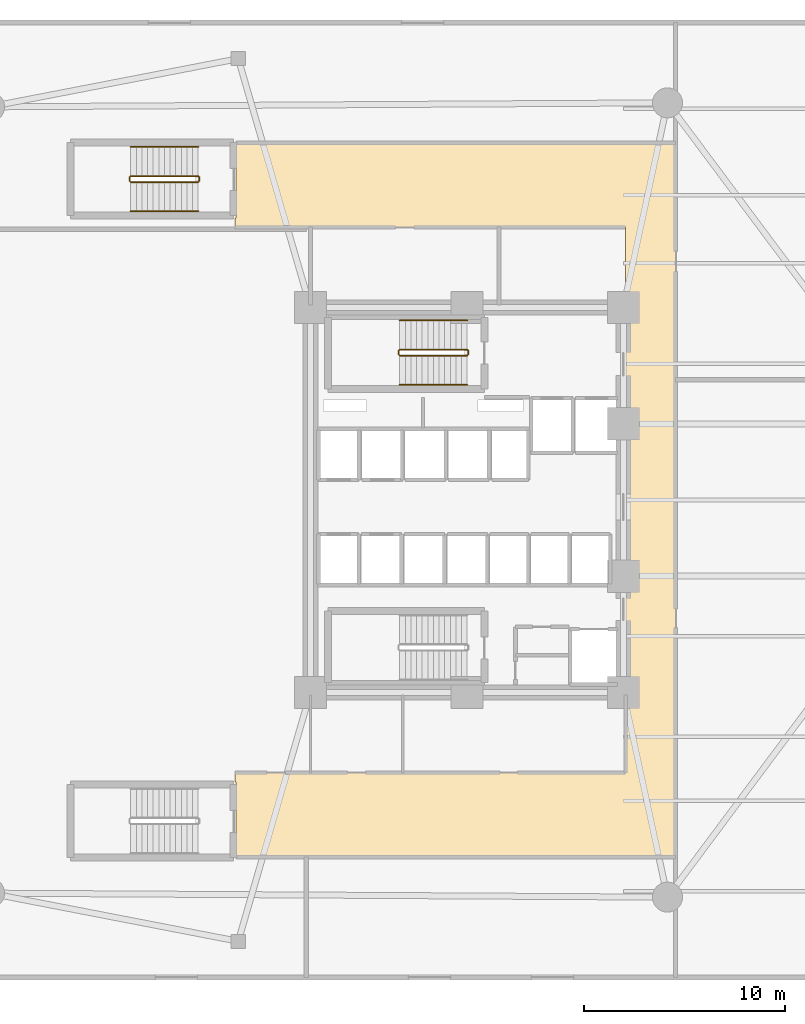
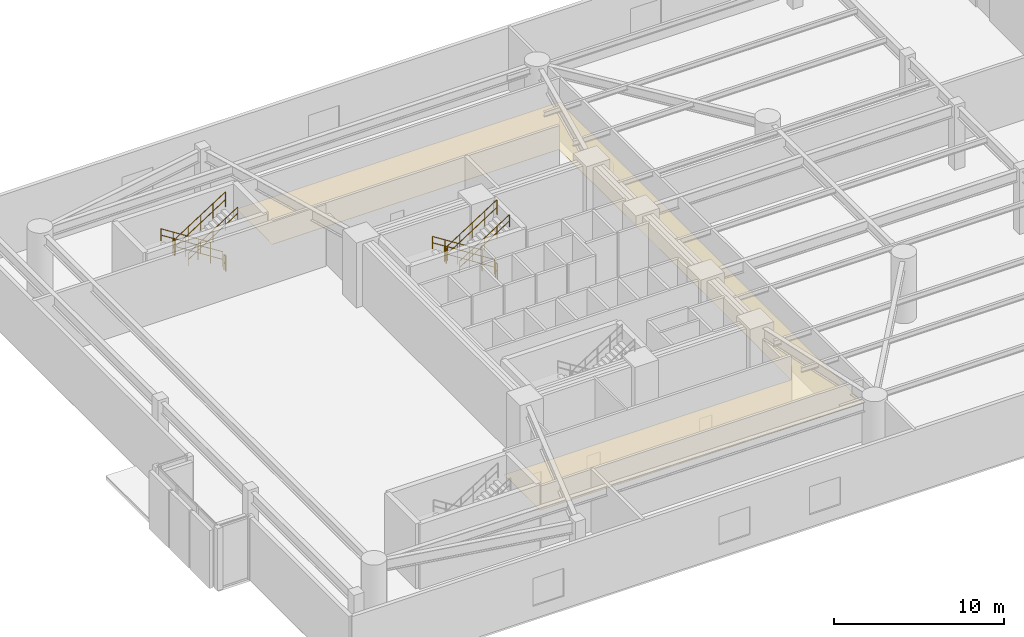
# One storey, part 14 of 15: 12 railings, 1 covering.
"""IFC4 building model written with IfcOpenShell, lengths in metres."""

from ifc_helpers import new_model, si_unit, direction, frame, origin, origin_2d, place, context, subcontext, project, spatial, polyline, circle, outline, extrude, material, layer, layer_set, type_object, element, save


model = new_model("IFC4")

# Units and contexts
model_context = context("Model", 3, precision=1e-05, world=origin(), true_north=direction((0.0, 1.0)))
body_context = subcontext(model_context, "Body", "Model", "MODEL_VIEW")
ifc_project = project(units=[si_unit("LENGTHUNIT", "METRE"), si_unit("AREAUNIT", "SQUARE_METRE"), si_unit("VOLUMEUNIT", "CUBIC_METRE"), si_unit("PLANEANGLEUNIT", "RADIAN"), si_unit("MASSUNIT", "GRAM", prefix="KILO")], contexts=[model_context])

# Site, building, storey
site_placement = place(None, origin())
site = spatial("IfcSite", under=ifc_project, at=site_placement, CompositionType="ELEMENT")
building_placement = place(site_placement, origin())
building = spatial("IfcBuilding", under=site, at=building_placement, Name="An Khanh Terracotta Commons", CompositionType="ELEMENT")
storey_placement = place(building_placement, frame((0.0, 0.0, 14.699951171875)))
storey = spatial("IfcBuildingStorey", under=building, at=storey_placement, Name="L04", CompositionType="ELEMENT", Elevation=14.699951171875)

# Covering
ifc_material_1 = material(Name="Perforated Mineral-Fibre Acoustic Tile")
ifc_layer = layer(ifc_material_1, 0.02001953125, Name="Perforated Mineral-Fibre Acoustic Tile")
ifc_layer_set = layer_set([ifc_layer], Name="Perforated Mineral-Fibre Acoustic Tile")
covering_type = type_object("IfcCoveringType", Name="CEIL-ACOUSTIC-18", PredefinedType="CEILING", material=ifc_layer_set)
covering_placement = place(storey_placement, frame((0.0, 0.0, 2.650146484375)))
element("IfcCovering", 1, at=covering_placement, inside=storey, type_object=covering_type, Name="L04 Gallery Ceiling", PredefinedType="CEILING", context=body_context, shape_type="SweptSolid", body=[
    extrude(outline(polyline([(17.889892578125, 6.199951171875), (17.889892578125, 9.93994140625), (17.85009765625, 9.93994140625), (17.85009765625, 10.39990234375), (37.300048828125, 10.39990234375), (37.300048828125, 14.280029296875), (37.320068359375, 14.280029296875), (37.320068359375, 33.719970703125), (37.300048828125, 33.719970703125), (37.300048828125, 37.60009765625), (17.85009765625, 37.60009765625), (17.85009765625, 38.06005859375), (17.889892578125, 38.06005859375), (17.889892578125, 41.800048828125), (39.800048828125, 41.800048828125), (39.800048828125, 40.0), (39.800048828125, 37.60009765625), (39.800048828125, 10.39990234375), (39.800048828125, 8.0), (39.800048828125, 6.199951171875), (17.889892578125, 6.199951171875)])), origin(), (0.0, 0.0, 1.0), 0.02001953125),
])

# Railings
ifc_material_2 = material(Name="Brushed Stainless Steel 316", Category="steel")
railing_type_1 = type_object("IfcRailingType", Name="RAIL-HANDRAIL-900", PredefinedType="HANDRAIL", material=ifc_material_2)
railing_1_placement = place(storey_placement, frame((29.409912109375, 32.949951171875, 0.178955078125)))
element("IfcRailing", 2, at=railing_1_placement, inside=storey, type_object=railing_type_1, Name="L04 ST-01 stair handrail 1", PredefinedType="HANDRAIL", context=body_context, shape_type="SweptSolid", body=[
    extrude(circle(Radius=0.02392578125, at=origin_2d()), frame((0.0, 0.0, 0.8759765625), z_axis=(-0.842762625749, 0.0, 0.538285385869), x_axis=(0.0, -1.0, 0.0)), (0.0, 0.0, 1.0), 3.98681640625),
    extrude(circle(Radius=0.02392578125, at=origin_2d()), frame((0.0, 0.0, 0.42578125), z_axis=(-0.842762625749, 0.0, 0.538285385869), x_axis=(0.0, -1.0, 0.0)), (0.0, 0.0, 1.0), 3.98681640625),
    extrude(circle(Radius=0.02099609375, at=origin_2d()), origin(), (0.0, 0.0, 1.0), 0.851806640625),
    extrude(circle(Radius=0.02099609375, at=origin_2d()), frame((-0.83984375, 0.0, 0.53662109375)), (0.0, 0.0, 1.0), 0.851806640625),
    extrude(circle(Radius=0.02099609375, at=origin_2d()), frame((-1.679931640625, 0.0, 1.072998046875)), (0.0, 0.0, 1.0), 0.851806640625),
    extrude(circle(Radius=0.02099609375, at=origin_2d()), frame((-2.52001953125, 0.0, 1.609375)), (0.0, 0.0, 1.0), 0.851806640625),
    extrude(circle(Radius=0.02099609375, at=origin_2d()), frame((-3.35986328125, 0.0, 2.14599609375)), (0.0, 0.0, 1.0), 0.851806640625),
])
railing_2_placement = place(storey_placement, frame((26.050048828125, 29.75, 2.50390625)))
element("IfcRailing", 3, at=railing_2_placement, inside=storey, type_object=railing_type_1, Name="L04 ST-01 stair handrail 2", PredefinedType="HANDRAIL", context=body_context, shape_type="SweptSolid", body=[
    extrude(circle(Radius=0.02392578125, at=origin_2d()), frame((0.0, 0.0, 0.8759765625), z_axis=(0.842734844946, 0.0, 0.538328878209), x_axis=(0.0, 1.0, 0.0)), (0.0, 0.0, 1.0), 3.98681640625),
    extrude(circle(Radius=0.02392578125, at=origin_2d()), frame((0.0, 0.0, 0.42578125), z_axis=(0.842734844946, 0.0, 0.538328878209), x_axis=(0.0, 1.0, 0.0)), (0.0, 0.0, 1.0), 3.98681640625),
    extrude(circle(Radius=0.02099609375, at=origin_2d()), origin(), (0.0, 0.0, 1.0), 0.851806640625),
    extrude(circle(Radius=0.02099609375, at=origin_2d()), frame((0.83984375, 0.0, 0.53662109375)), (0.0, 0.0, 1.0), 0.851806640625),
    extrude(circle(Radius=0.02099609375, at=origin_2d()), frame((1.679931640625, 0.0, 1.0732421875)), (0.0, 0.0, 1.0), 0.851806640625),
    extrude(circle(Radius=0.02099609375, at=origin_2d()), frame((2.52001953125, 0.0, 1.609619140625)), (0.0, 0.0, 1.0), 0.851806640625),
    extrude(circle(Radius=0.02099609375, at=origin_2d()), frame((3.35986328125, 0.0, 2.146240234375)), (0.0, 0.0, 1.0), 0.851806640625),
])
railing_3_placement = place(storey_placement, frame((16.0, 41.60009765625, 0.178955078125)))
element("IfcRailing", 4, at=railing_3_placement, inside=storey, type_object=railing_type_1, Name="L04 ST-P2 stair handrail 1", PredefinedType="HANDRAIL", context=body_context, shape_type="SweptSolid", body=[
    extrude(circle(Radius=0.02392578125, at=origin_2d()), frame((0.0, 0.0, 0.8759765625), z_axis=(-0.842780368268, 0.0, 0.538257606414), x_axis=(0.0, -1.0, 0.0)), (0.0, 0.0, 1.0), 3.98681640625),
    extrude(circle(Radius=0.02392578125, at=origin_2d()), frame((0.0, 0.0, 0.42578125), z_axis=(-0.842780368268, 0.0, 0.538257606414), x_axis=(0.0, -1.0, 0.0)), (0.0, 0.0, 1.0), 3.98681640625),
    extrude(circle(Radius=0.02099609375, at=origin_2d()), origin(), (0.0, 0.0, 1.0), 0.851806640625),
    extrude(circle(Radius=0.02099609375, at=origin_2d()), frame((-0.840087890625, 0.0, 0.53662109375)), (0.0, 0.0, 1.0), 0.851806640625),
    extrude(circle(Radius=0.02099609375, at=origin_2d()), frame((-1.68017578125, 0.0, 1.072998046875)), (0.0, 0.0, 1.0), 0.851806640625),
    extrude(circle(Radius=0.02099609375, at=origin_2d()), frame((-2.52001953125, 0.0, 1.609375)), (0.0, 0.0, 1.0), 0.851806640625),
    extrude(circle(Radius=0.02099609375, at=origin_2d()), frame((-3.360107421875, 0.0, 2.14599609375)), (0.0, 0.0, 1.0), 0.851806640625),
])
railing_4_placement = place(storey_placement, frame((12.639892578125, 38.39990234375, 2.50390625)))
element("IfcRailing", 5, at=railing_4_placement, inside=storey, type_object=railing_type_1, Name="L04 ST-P2 stair handrail 2", PredefinedType="HANDRAIL", context=body_context, shape_type="SweptSolid", body=[
    extrude(circle(Radius=0.02392578125, at=origin_2d()), frame((0.0, 0.0, 0.8759765625), z_axis=(0.842752589747, 0.0, 0.538301098341), x_axis=(0.0, 1.0, 0.0)), (0.0, 0.0, 1.0), 3.987060546875),
    extrude(circle(Radius=0.02392578125, at=origin_2d()), frame((0.0, 0.0, 0.42578125), z_axis=(0.842752589747, 0.0, 0.538301098341), x_axis=(0.0, 1.0, 0.0)), (0.0, 0.0, 1.0), 3.987060546875),
    extrude(circle(Radius=0.02099609375, at=origin_2d()), origin(), (0.0, 0.0, 1.0), 0.851806640625),
    extrude(circle(Radius=0.02099609375, at=origin_2d()), frame((0.840087890625, 0.0, 0.53662109375)), (0.0, 0.0, 1.0), 0.851806640625),
    extrude(circle(Radius=0.02099609375, at=origin_2d()), frame((1.68017578125, 0.0, 1.0732421875)), (0.0, 0.0, 1.0), 0.851806640625),
    extrude(circle(Radius=0.02099609375, at=origin_2d()), frame((2.52001953125, 0.0, 1.609619140625)), (0.0, 0.0, 1.0), 0.851806640625),
    extrude(circle(Radius=0.02099609375, at=origin_2d()), frame((3.360107421875, 0.0, 2.146240234375)), (0.0, 0.0, 1.0), 0.851806640625),
])
ifc_material_3 = material(Name="Powder-Coated Steel S355J2", Category="steel")
railing_type_2 = type_object("IfcRailingType", Name="RAIL-STAIR-GUARD-1100", PredefinedType="BALUSTRADE", material=ifc_material_3)
railing_5_placement = place(storey_placement, frame((29.409912109375, 31.5, 0.178955078125)))
element("IfcRailing", 6, at=railing_5_placement, inside=storey, type_object=railing_type_2, Name="L04 ST-01 stair guard 1", PredefinedType="BALUSTRADE", context=body_context, shape_type="SweptSolid", body=[
    extrude(circle(Radius=0.02392578125, at=origin_2d()), frame((0.0, 0.0, 1.076171875), z_axis=(-0.842762625749, 0.0, 0.538285385869), x_axis=(0.0, -1.0, 0.0)), (0.0, 0.0, 1.0), 3.98681640625),
    extrude(circle(Radius=0.02392578125, at=origin_2d()), frame((0.0, 0.0, 0.52587890625), z_axis=(-0.842762625749, 0.0, 0.538285385869), x_axis=(0.0, -1.0, 0.0)), (0.0, 0.0, 1.0), 3.98681640625),
    extrude(circle(Radius=0.02099609375, at=origin_2d()), origin(), (0.0, 0.0, 1.0), 1.052001953125),
    extrude(circle(Radius=0.02099609375, at=origin_2d()), frame((-0.83984375, 0.0, 0.53662109375)), (0.0, 0.0, 1.0), 1.052001953125),
    extrude(circle(Radius=0.02099609375, at=origin_2d()), frame((-1.679931640625, 0.0, 1.072998046875)), (0.0, 0.0, 1.0), 1.052001953125),
    extrude(circle(Radius=0.02099609375, at=origin_2d()), frame((-2.52001953125, 0.0, 1.609375)), (0.0, 0.0, 1.0), 1.052001953125),
    extrude(circle(Radius=0.02099609375, at=origin_2d()), frame((-3.35986328125, 0.0, 2.14599609375)), (0.0, 0.0, 1.0), 1.052001953125),
])
railing_6_placement = place(storey_placement, frame((26.0, 31.449951171875, 2.324951171875)))
element("IfcRailing", 7, at=railing_6_placement, inside=storey, type_object=railing_type_2, Name="L04 ST-01 stair guard 2", PredefinedType="BALUSTRADE", context=body_context, shape_type="SweptSolid", body=[
    extrude(circle(Radius=0.02392578125, at=origin_2d()), frame((0.0, 0.0, 1.076171875), z_axis=(0.0, -1.0, 0.0), x_axis=(1.0, 0.0, 0.0)), (0.0, 0.0, 1.0), 0.199951171875),
    extrude(circle(Radius=0.02392578125, at=origin_2d()), frame((0.0, 0.0, 0.52587890625), z_axis=(0.0, -1.0, 0.0), x_axis=(1.0, 0.0, 0.0)), (0.0, 0.0, 1.0), 0.199951171875),
    extrude(circle(Radius=0.02099609375, at=origin_2d()), origin(), (0.0, 0.0, 1.0), 1.052001953125),
    extrude(circle(Radius=0.02099609375, at=origin_2d()), frame((0.0, -0.199951171875, 0.0)), (0.0, 0.0, 1.0), 1.052001953125),
])
railing_7_placement = place(storey_placement, frame((26.050048828125, 31.199951171875, 2.50390625)))
element("IfcRailing", 8, at=railing_7_placement, inside=storey, type_object=railing_type_2, Name="L04 ST-01 stair guard 3", PredefinedType="BALUSTRADE", context=body_context, shape_type="SweptSolid", body=[
    extrude(circle(Radius=0.02392578125, at=origin_2d()), frame((0.0, 0.0, 1.076171875), z_axis=(0.842734844946, 0.0, 0.538328878209), x_axis=(0.0, 1.0, 0.0)), (0.0, 0.0, 1.0), 3.98681640625),
    extrude(circle(Radius=0.02392578125, at=origin_2d()), frame((0.0, 0.0, 0.52587890625), z_axis=(0.842734844946, 0.0, 0.538328878209), x_axis=(0.0, 1.0, 0.0)), (0.0, 0.0, 1.0), 3.98681640625),
    extrude(circle(Radius=0.02099609375, at=origin_2d()), origin(), (0.0, 0.0, 1.0), 1.052001953125),
    extrude(circle(Radius=0.02099609375, at=origin_2d()), frame((0.83984375, 0.0, 0.53662109375)), (0.0, 0.0, 1.0), 1.052001953125),
    extrude(circle(Radius=0.02099609375, at=origin_2d()), frame((1.679931640625, 0.0, 1.0732421875)), (0.0, 0.0, 1.0), 1.052001953125),
    extrude(circle(Radius=0.02099609375, at=origin_2d()), frame((2.52001953125, 0.0, 1.609619140625)), (0.0, 0.0, 1.0), 1.052001953125),
    extrude(circle(Radius=0.02099609375, at=origin_2d()), frame((3.35986328125, 0.0, 2.146240234375)), (0.0, 0.0, 1.0), 1.052001953125),
])
railing_8_placement = place(storey_placement, frame((29.4599609375, 31.449951171875, 0.0)))
element("IfcRailing", 9, at=railing_8_placement, inside=storey, type_object=railing_type_2, Name="L04 ST-01 stair guard 4", PredefinedType="BALUSTRADE", context=body_context, shape_type="SweptSolid", body=[
    extrude(circle(Radius=0.02392578125, at=origin_2d()), frame((0.0, 0.0, 1.076171875), z_axis=(0.0, -1.0, 0.0), x_axis=(1.0, 0.0, 0.0)), (0.0, 0.0, 1.0), 0.199951171875),
    extrude(circle(Radius=0.02392578125, at=origin_2d()), frame((0.0, 0.0, 0.52587890625), z_axis=(0.0, -1.0, 0.0), x_axis=(1.0, 0.0, 0.0)), (0.0, 0.0, 1.0), 0.199951171875),
    extrude(circle(Radius=0.02099609375, at=origin_2d()), origin(), (0.0, 0.0, 1.0), 1.052001953125),
    extrude(circle(Radius=0.02099609375, at=origin_2d()), frame((0.0, -0.199951171875, 0.0)), (0.0, 0.0, 1.0), 1.052001953125),
])
railing_9_placement = place(storey_placement, frame((16.0, 40.14990234375, 0.178955078125)))
element("IfcRailing", 10, at=railing_9_placement, inside=storey, type_object=railing_type_2, Name="L04 ST-P2 stair guard 1", PredefinedType="BALUSTRADE", context=body_context, shape_type="SweptSolid", body=[
    extrude(circle(Radius=0.02392578125, at=origin_2d()), frame((0.0, 0.0, 1.076171875), z_axis=(-0.842780368268, 0.0, 0.538257606414), x_axis=(0.0, -1.0, 0.0)), (0.0, 0.0, 1.0), 3.98681640625),
    extrude(circle(Radius=0.02392578125, at=origin_2d()), frame((0.0, 0.0, 0.52587890625), z_axis=(-0.842780368268, 0.0, 0.538257606414), x_axis=(0.0, -1.0, 0.0)), (0.0, 0.0, 1.0), 3.98681640625),
    extrude(circle(Radius=0.02099609375, at=origin_2d()), origin(), (0.0, 0.0, 1.0), 1.052001953125),
    extrude(circle(Radius=0.02099609375, at=origin_2d()), frame((-0.840087890625, 0.0, 0.53662109375)), (0.0, 0.0, 1.0), 1.052001953125),
    extrude(circle(Radius=0.02099609375, at=origin_2d()), frame((-1.68017578125, 0.0, 1.072998046875)), (0.0, 0.0, 1.0), 1.052001953125),
    extrude(circle(Radius=0.02099609375, at=origin_2d()), frame((-2.52001953125, 0.0, 1.609375)), (0.0, 0.0, 1.0), 1.052001953125),
    extrude(circle(Radius=0.02099609375, at=origin_2d()), frame((-3.360107421875, 0.0, 2.14599609375)), (0.0, 0.0, 1.0), 1.052001953125),
])
railing_10_placement = place(storey_placement, frame((12.590087890625, 40.10009765625, 2.324951171875)))
element("IfcRailing", 11, at=railing_10_placement, inside=storey, type_object=railing_type_2, Name="L04 ST-P2 stair guard 2", PredefinedType="BALUSTRADE", context=body_context, shape_type="SweptSolid", body=[
    extrude(circle(Radius=0.02392578125, at=origin_2d()), frame((0.0, 0.0, 1.076171875), z_axis=(0.0, -1.0, 0.0), x_axis=(1.0, 0.0, 0.0)), (0.0, 0.0, 1.0), 0.2001953125),
    extrude(circle(Radius=0.02392578125, at=origin_2d()), frame((0.0, 0.0, 0.52587890625), z_axis=(0.0, -1.0, 0.0), x_axis=(1.0, 0.0, 0.0)), (0.0, 0.0, 1.0), 0.2001953125),
    extrude(circle(Radius=0.02099609375, at=origin_2d()), origin(), (0.0, 0.0, 1.0), 1.052001953125),
    extrude(circle(Radius=0.02099609375, at=origin_2d()), frame((0.0, -0.2001953125, 0.0)), (0.0, 0.0, 1.0), 1.052001953125),
])
railing_11_placement = place(storey_placement, frame((12.639892578125, 39.85009765625, 2.50390625)))
element("IfcRailing", 12, at=railing_11_placement, inside=storey, type_object=railing_type_2, Name="L04 ST-P2 stair guard 3", PredefinedType="BALUSTRADE", context=body_context, shape_type="SweptSolid", body=[
    extrude(circle(Radius=0.02392578125, at=origin_2d()), frame((0.0, 0.0, 1.076171875), z_axis=(0.842752589747, 0.0, 0.538301098341), x_axis=(0.0, 1.0, 0.0)), (0.0, 0.0, 1.0), 3.987060546875),
    extrude(circle(Radius=0.02392578125, at=origin_2d()), frame((0.0, 0.0, 0.52587890625), z_axis=(0.842752589747, 0.0, 0.538301098341), x_axis=(0.0, 1.0, 0.0)), (0.0, 0.0, 1.0), 3.987060546875),
    extrude(circle(Radius=0.02099609375, at=origin_2d()), origin(), (0.0, 0.0, 1.0), 1.052001953125),
    extrude(circle(Radius=0.02099609375, at=origin_2d()), frame((0.840087890625, 0.0, 0.53662109375)), (0.0, 0.0, 1.0), 1.052001953125),
    extrude(circle(Radius=0.02099609375, at=origin_2d()), frame((1.68017578125, 0.0, 1.0732421875)), (0.0, 0.0, 1.0), 1.052001953125),
    extrude(circle(Radius=0.02099609375, at=origin_2d()), frame((2.52001953125, 0.0, 1.609619140625)), (0.0, 0.0, 1.0), 1.052001953125),
    extrude(circle(Radius=0.02099609375, at=origin_2d()), frame((3.360107421875, 0.0, 2.146240234375)), (0.0, 0.0, 1.0), 1.052001953125),
])
railing_12_placement = place(storey_placement, frame((16.050048828125, 40.10009765625, 0.0)))
element("IfcRailing", 13, at=railing_12_placement, inside=storey, type_object=railing_type_2, Name="L04 ST-P2 stair guard 4", PredefinedType="BALUSTRADE", context=body_context, shape_type="SweptSolid", body=[
    extrude(circle(Radius=0.02392578125, at=origin_2d()), frame((0.0, 0.0, 1.076171875), z_axis=(0.0, -1.0, 0.0), x_axis=(1.0, 0.0, 0.0)), (0.0, 0.0, 1.0), 0.2001953125),
    extrude(circle(Radius=0.02392578125, at=origin_2d()), frame((0.0, 0.0, 0.52587890625), z_axis=(0.0, -1.0, 0.0), x_axis=(1.0, 0.0, 0.0)), (0.0, 0.0, 1.0), 0.2001953125),
    extrude(circle(Radius=0.02099609375, at=origin_2d()), origin(), (0.0, 0.0, 1.0), 1.052001953125),
    extrude(circle(Radius=0.02099609375, at=origin_2d()), frame((0.0, -0.2001953125, 0.0)), (0.0, 0.0, 1.0), 1.052001953125),
])

save(model, "model.ifc")
